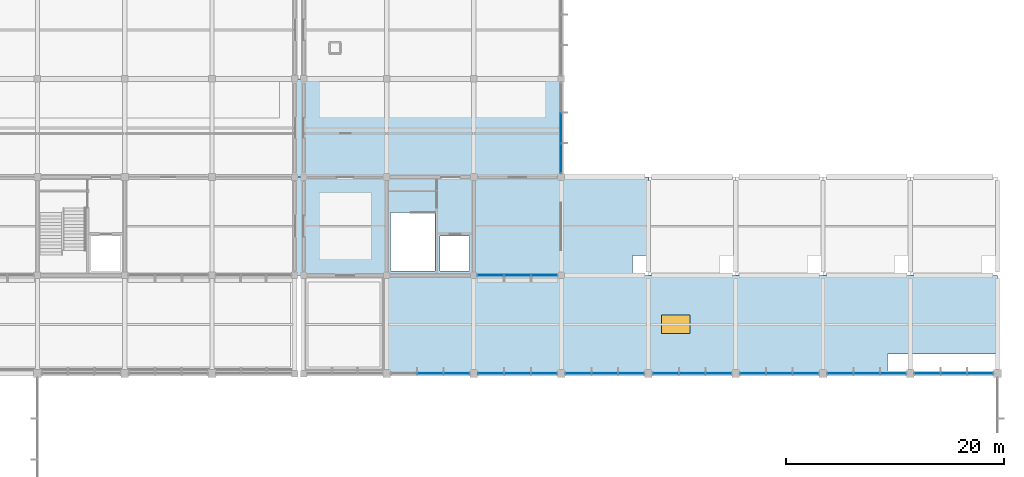
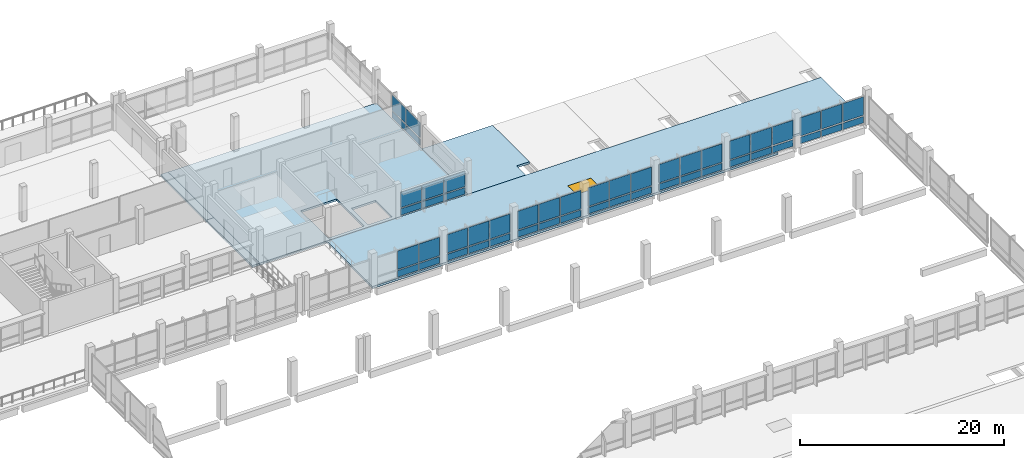
# One storey, part 53 of 70: 50 plates, 5 slabs, 1 window, 1 opening, 9 elements without a shape of their own.
"""IFC4 building model written with IfcOpenShell, lengths in metres."""

from ifc_helpers import new_model, si_unit, direction, frame, origin, origin_2d, place, context, subcontext, project, spatial, polyline, rectangle, outline, extrude, material, layer, layer_set, type_object, element, fill, aggregate, save


model = new_model("IFC4")

# Units and contexts
model_context = context("Model", 3, precision=1e-05, world=origin(), true_north=direction((0.0, 1.0)))
body_context = subcontext(model_context, "Body", "Model", "MODEL_VIEW")
ifc_project = project(units=[si_unit("LENGTHUNIT", "METRE"), si_unit("AREAUNIT", "SQUARE_METRE"), si_unit("VOLUMEUNIT", "CUBIC_METRE"), si_unit("PLANEANGLEUNIT", "RADIAN"), si_unit("MASSUNIT", "GRAM", prefix="KILO"), si_unit("THERMODYNAMICTEMPERATUREUNIT", "KELVIN"), si_unit("POWERUNIT", "WATT")], contexts=[model_context])

# Site, building, storey
site_placement = place(None, origin())
site = spatial("IfcSite", under=ifc_project, at=site_placement, CompositionType="ELEMENT")
building_placement = place(site_placement, origin())
building = spatial("IfcBuilding", under=site, at=building_placement, Name="Kronsvod Quay Wholesale Market", CompositionType="ELEMENT")
storey_placement = place(building_placement, frame((0.0, 0.0, 9.0)))
storey = spatial("IfcBuildingStorey", under=building, at=storey_placement, Name="L02", CompositionType="ELEMENT", Elevation=9.0)

# Curtain wall, plate
ifc_material_1 = material(Name="Thermally broken aluminium and triple low-E glazing", Category="aluminium")
curtain_wall_type_1 = type_object("IfcCurtainWallType", Name="CW_Clerestory80x32", PredefinedType="NOTDEFINED", material=ifc_material_1)
curtain_wall_1_placement = place(storey_placement, origin())
curtain_wall_1 = element("IfcCurtainWall", 1, at=curtain_wall_1_placement, inside=storey, type_object=curtain_wall_type_1, Name="CWGX-L02-1360-900", PredefinedType="NOTDEFINED")
ifc_material_2 = material(Name="Insulated aluminium spandrel panel", Category="aluminium")
ifc_layer_1 = layer(ifc_material_2, 0.048095703125)
ifc_layer_set_1 = layer_set([ifc_layer_1], Name="Insulated aluminium spandrel panel")
plate_type_1 = type_object("IfcPlateType", Name="CWPanel_SP2324x775", PredefinedType="CURTAIN_PANEL", material=ifc_layer_set_1)
plate_1_placement = place(storey_placement, frame((142.41796875, 90.0, 0.150146484375), z_axis=(0.0, 0.0, 1.0), x_axis=(-1.0, 0.0, 0.0)))
plate_1 = element("IfcPlate", 2, at=plate_1_placement, type_object=plate_type_1, Name="CWGX-L02-1360-900-PS1", PredefinedType="CURTAIN_PANEL", context=body_context, shape_type="SweptSolid", body=[
    extrude(rectangle(XDim=2.323974609375, YDim=0.048095703125, at=origin_2d()), origin(), (0.0, 0.0, 1.0), 0.77490234375),
])

# Curtain wall, plates
curtain_wall_2_placement = place(storey_placement, origin())
curtain_wall_2 = element("IfcCurtainWall", 3, at=curtain_wall_2_placement, inside=storey, type_object=curtain_wall_type_1, Name="CWGX-L02-1440-900", PredefinedType="NOTDEFINED")
plate_2_placement = place(storey_placement, frame((150.41796875, 90.0, 0.150146484375), z_axis=(0.0, 0.0, 1.0), x_axis=(-1.0, 0.0, 0.0)))
plate_2 = element("IfcPlate", 4, at=plate_2_placement, type_object=plate_type_1, Name="CWGX-L02-1440-900-PS1", PredefinedType="CURTAIN_PANEL", context=body_context, shape_type="SweptSolid", body=[
    extrude(rectangle(XDim=2.323974609375, YDim=0.048095703125, at=origin_2d()), origin(), (0.0, 0.0, 1.0), 0.77490234375),
])
plate_3_placement = place(storey_placement, frame((145.58203125, 90.0, 0.150146484375), z_axis=(0.0, 0.0, 1.0), x_axis=(-1.0, 0.0, 0.0)))
plate_3 = element("IfcPlate", 5, at=plate_3_placement, type_object=plate_type_1, Name="CWGX-L02-1440-900-PS3", PredefinedType="CURTAIN_PANEL", context=body_context, shape_type="SweptSolid", body=[
    extrude(rectangle(XDim=2.323974609375, YDim=0.048095703125, at=origin_2d()), origin(), (0.0, 0.0, 1.0), 0.77490234375),
])

curtain_wall_3_placement = place(storey_placement, origin())
curtain_wall_3 = element("IfcCurtainWall", 6, at=curtain_wall_3_placement, inside=storey, type_object=curtain_wall_type_1, Name="CWGX-L02-1520-900", PredefinedType="NOTDEFINED")
plate_4_placement = place(storey_placement, frame((158.41796875, 90.0, 0.150146484375), z_axis=(0.0, 0.0, 1.0), x_axis=(-1.0, 0.0, 0.0)))
plate_4 = element("IfcPlate", 7, at=plate_4_placement, type_object=plate_type_1, Name="CWGX-L02-1520-900-PS1", PredefinedType="CURTAIN_PANEL", context=body_context, shape_type="SweptSolid", body=[
    extrude(rectangle(XDim=2.323974609375, YDim=0.048095703125, at=origin_2d()), origin(), (0.0, 0.0, 1.0), 0.77490234375),
])
plate_5_placement = place(storey_placement, frame((153.58203125, 90.0, 0.150146484375), z_axis=(0.0, 0.0, 1.0), x_axis=(-1.0, 0.0, 0.0)))
plate_5 = element("IfcPlate", 8, at=plate_5_placement, type_object=plate_type_1, Name="CWGX-L02-1520-900-PS3", PredefinedType="CURTAIN_PANEL", context=body_context, shape_type="SweptSolid", body=[
    extrude(rectangle(XDim=2.323974609375, YDim=0.048095703125, at=origin_2d()), origin(), (0.0, 0.0, 1.0), 0.77490234375),
])

curtain_wall_4_placement = place(storey_placement, origin())
curtain_wall_4 = element("IfcCurtainWall", 9, at=curtain_wall_4_placement, inside=storey, type_object=curtain_wall_type_1, Name="CWGX-L02-1600-900", PredefinedType="NOTDEFINED")
plate_6_placement = place(storey_placement, frame((166.41796875, 90.0, 0.150146484375), z_axis=(0.0, 0.0, 1.0), x_axis=(-1.0, 0.0, 0.0)))
plate_6 = element("IfcPlate", 10, at=plate_6_placement, type_object=plate_type_1, Name="CWGX-L02-1600-900-PS1", PredefinedType="CURTAIN_PANEL", context=body_context, shape_type="SweptSolid", body=[
    extrude(rectangle(XDim=2.323974609375, YDim=0.048095703125, at=origin_2d()), origin(), (0.0, 0.0, 1.0), 0.77490234375),
])
plate_7_placement = place(storey_placement, frame((161.58203125, 90.0, 0.150146484375), z_axis=(0.0, 0.0, 1.0), x_axis=(-1.0, 0.0, 0.0)))
plate_7 = element("IfcPlate", 11, at=plate_7_placement, type_object=plate_type_1, Name="CWGX-L02-1600-900-PS3", PredefinedType="CURTAIN_PANEL", context=body_context, shape_type="SweptSolid", body=[
    extrude(rectangle(XDim=2.323974609375, YDim=0.048095703125, at=origin_2d()), origin(), (0.0, 0.0, 1.0), 0.77490234375),
])

curtain_wall_5_placement = place(storey_placement, origin())
curtain_wall_5 = element("IfcCurtainWall", 12, at=curtain_wall_5_placement, inside=storey, type_object=curtain_wall_type_1, Name="CWGX-L02-1680-900", PredefinedType="NOTDEFINED")
plate_8_placement = place(storey_placement, frame((174.41796875, 90.0, 0.150146484375), z_axis=(0.0, 0.0, 1.0), x_axis=(-1.0, 0.0, 0.0)))
plate_8 = element("IfcPlate", 13, at=plate_8_placement, type_object=plate_type_1, Name="CWGX-L02-1680-900-PS1", PredefinedType="CURTAIN_PANEL", context=body_context, shape_type="SweptSolid", body=[
    extrude(rectangle(XDim=2.323974609375, YDim=0.048095703125, at=origin_2d()), origin(), (0.0, 0.0, 1.0), 0.77490234375),
])
plate_9_placement = place(storey_placement, frame((169.58203125, 90.0, 0.150146484375), z_axis=(0.0, 0.0, 1.0), x_axis=(-1.0, 0.0, 0.0)))
plate_9 = element("IfcPlate", 14, at=plate_9_placement, type_object=plate_type_1, Name="CWGX-L02-1680-900-PS3", PredefinedType="CURTAIN_PANEL", context=body_context, shape_type="SweptSolid", body=[
    extrude(rectangle(XDim=2.323974609375, YDim=0.048095703125, at=origin_2d()), origin(), (0.0, 0.0, 1.0), 0.77490234375),
])

curtain_wall_6_placement = place(storey_placement, origin())
curtain_wall_6 = element("IfcCurtainWall", 15, at=curtain_wall_6_placement, inside=storey, type_object=curtain_wall_type_1, Name="CWGX-L02-1760-900", PredefinedType="NOTDEFINED")
plate_10_placement = place(storey_placement, frame((182.41796875, 90.0, 0.150146484375), z_axis=(0.0, 0.0, 1.0), x_axis=(-1.0, 0.0, 0.0)))
plate_10 = element("IfcPlate", 16, at=plate_10_placement, type_object=plate_type_1, Name="CWGX-L02-1760-900-PS1", PredefinedType="CURTAIN_PANEL", context=body_context, shape_type="SweptSolid", body=[
    extrude(rectangle(XDim=2.323974609375, YDim=0.048095703125, at=origin_2d()), origin(), (0.0, 0.0, 1.0), 0.77490234375),
])
plate_11_placement = place(storey_placement, frame((177.58203125, 90.0, 0.150146484375), z_axis=(0.0, 0.0, 1.0), x_axis=(-1.0, 0.0, 0.0)))
plate_11 = element("IfcPlate", 17, at=plate_11_placement, type_object=plate_type_1, Name="CWGX-L02-1760-900-PS3", PredefinedType="CURTAIN_PANEL", context=body_context, shape_type="SweptSolid", body=[
    extrude(rectangle(XDim=2.323974609375, YDim=0.048095703125, at=origin_2d()), origin(), (0.0, 0.0, 1.0), 0.77490234375),
])

curtain_wall_7_placement = place(storey_placement, origin())
curtain_wall_7 = element("IfcCurtainWall", 18, at=curtain_wall_7_placement, inside=storey, type_object=curtain_wall_type_1, Name="CWGX-L02-1840-900", PredefinedType="NOTDEFINED")
plate_12_placement = place(storey_placement, frame((190.41796875, 90.0, 0.150146484375), z_axis=(0.0, 0.0, 1.0), x_axis=(-1.0, 0.0, 0.0)))
plate_12 = element("IfcPlate", 19, at=plate_12_placement, type_object=plate_type_1, Name="CWGX-L02-1840-900-PS1", PredefinedType="CURTAIN_PANEL", context=body_context, shape_type="SweptSolid", body=[
    extrude(rectangle(XDim=2.323974609375, YDim=0.048095703125, at=origin_2d()), origin(), (0.0, 0.0, 1.0), 0.77490234375),
])
plate_13_placement = place(storey_placement, frame((185.58203125, 90.0, 0.150146484375), z_axis=(0.0, 0.0, 1.0), x_axis=(-1.0, 0.0, 0.0)))
plate_13 = element("IfcPlate", 20, at=plate_13_placement, type_object=plate_type_1, Name="CWGX-L02-1840-900-PS3", PredefinedType="CURTAIN_PANEL", context=body_context, shape_type="SweptSolid", body=[
    extrude(rectangle(XDim=2.323974609375, YDim=0.048095703125, at=origin_2d()), origin(), (0.0, 0.0, 1.0), 0.77490234375),
])

ifc_material_3 = material(Name="Thermally broken aluminium and triple low-E glazing", Category="aluminium")
curtain_wall_type_2 = type_object("IfcCurtainWallType", Name="CW_Harbour80x33", PredefinedType="NOTDEFINED", material=ifc_material_3)
curtain_wall_8_placement = place(storey_placement, origin())
curtain_wall_8 = element("IfcCurtainWall", 21, at=curtain_wall_8_placement, inside=storey, type_object=curtain_wall_type_2, Name="CWGX-L02-1440-990", PredefinedType="NOTDEFINED")
ifc_material_4 = material(Name="Insulated aluminium spandrel panel", Category="aluminium")
ifc_layer_2 = layer(ifc_material_4, 0.048095703125)
ifc_layer_set_2 = layer_set([ifc_layer_2], Name="Insulated aluminium spandrel panel")
plate_type_2 = type_object("IfcPlateType", Name="CWPanel_SP2358x775", PredefinedType="CURTAIN_PANEL", material=ifc_layer_set_2)
plate_14_placement = place(storey_placement, frame((145.548828125, 99.0, 0.150146484375), z_axis=(0.0, 0.0, 1.0), x_axis=(1.0, 0.0, 0.0)))
plate_14 = element("IfcPlate", 22, at=plate_14_placement, type_object=plate_type_2, Name="CWGX-L02-1440-990-PS1", PredefinedType="CURTAIN_PANEL", context=body_context, shape_type="SweptSolid", body=[
    extrude(rectangle(XDim=2.35791015625, YDim=0.048095703125, at=origin_2d()), origin(), (0.0, 0.0, 1.0), 0.77490234375),
])
plate_15_placement = place(storey_placement, frame((150.451171875, 99.0, 0.150146484375), z_axis=(0.0, 0.0, 1.0), x_axis=(1.0, 0.0, 0.0)))
plate_15 = element("IfcPlate", 23, at=plate_15_placement, type_object=plate_type_2, Name="CWGX-L02-1440-990-PS3", PredefinedType="CURTAIN_PANEL", context=body_context, shape_type="SweptSolid", body=[
    extrude(rectangle(XDim=2.35791015625, YDim=0.048095703125, at=origin_2d()), origin(), (0.0, 0.0, 1.0), 0.77490234375),
])

# Plate
ifc_material_5 = material(Name="Insulated aluminium spandrel panel", Category="aluminium")
ifc_layer_3 = layer(ifc_material_5, 0.048095703125)
ifc_layer_set_3 = layer_set([ifc_layer_3], Name="Insulated aluminium spandrel panel")
plate_type_3 = type_object("IfcPlateType", Name="CWPanel_SP2362x775", PredefinedType="CURTAIN_PANEL", material=ifc_layer_set_3)
plate_16_placement = place(storey_placement, frame((140.0, 90.0, 0.150146484375), z_axis=(0.0, 0.0, 1.0), x_axis=(-1.0, 0.0, 0.0)))
plate_16 = element("IfcPlate", 24, at=plate_16_placement, type_object=plate_type_3, Name="CWGX-L02-1360-900-PS2", PredefinedType="CURTAIN_PANEL", context=body_context, shape_type="SweptSolid", body=[
    extrude(rectangle(XDim=2.362060546875, YDim=0.048095703125, at=origin_2d()), origin(), (0.0, 0.0, 1.0), 0.77490234375),
])

plate_17_placement = place(storey_placement, frame((148.0, 90.0, 0.150146484375), z_axis=(0.0, 0.0, 1.0), x_axis=(-1.0, 0.0, 0.0)))
plate_17 = element("IfcPlate", 25, at=plate_17_placement, type_object=plate_type_3, Name="CWGX-L02-1440-900-PS2", PredefinedType="CURTAIN_PANEL", context=body_context, shape_type="SweptSolid", body=[
    extrude(rectangle(XDim=2.362060546875, YDim=0.048095703125, at=origin_2d()), origin(), (0.0, 0.0, 1.0), 0.77490234375),
])

plate_18_placement = place(storey_placement, frame((156.0, 90.0, 0.150146484375), z_axis=(0.0, 0.0, 1.0), x_axis=(-1.0, 0.0, 0.0)))
plate_18 = element("IfcPlate", 26, at=plate_18_placement, type_object=plate_type_3, Name="CWGX-L02-1520-900-PS2", PredefinedType="CURTAIN_PANEL", context=body_context, shape_type="SweptSolid", body=[
    extrude(rectangle(XDim=2.362060546875, YDim=0.048095703125, at=origin_2d()), origin(), (0.0, 0.0, 1.0), 0.77490234375),
])

plate_19_placement = place(storey_placement, frame((164.0, 90.0, 0.150146484375), z_axis=(0.0, 0.0, 1.0), x_axis=(-1.0, 0.0, 0.0)))
plate_19 = element("IfcPlate", 27, at=plate_19_placement, type_object=plate_type_3, Name="CWGX-L02-1600-900-PS2", PredefinedType="CURTAIN_PANEL", context=body_context, shape_type="SweptSolid", body=[
    extrude(rectangle(XDim=2.362060546875, YDim=0.048095703125, at=origin_2d()), origin(), (0.0, 0.0, 1.0), 0.77490234375),
])

plate_20_placement = place(storey_placement, frame((172.0, 90.0, 0.150146484375), z_axis=(0.0, 0.0, 1.0), x_axis=(-1.0, 0.0, 0.0)))
plate_20 = element("IfcPlate", 28, at=plate_20_placement, type_object=plate_type_3, Name="CWGX-L02-1680-900-PS2", PredefinedType="CURTAIN_PANEL", context=body_context, shape_type="SweptSolid", body=[
    extrude(rectangle(XDim=2.362060546875, YDim=0.048095703125, at=origin_2d()), origin(), (0.0, 0.0, 1.0), 0.77490234375),
])

plate_21_placement = place(storey_placement, frame((180.0, 90.0, 0.150146484375), z_axis=(0.0, 0.0, 1.0), x_axis=(-1.0, 0.0, 0.0)))
plate_21 = element("IfcPlate", 29, at=plate_21_placement, type_object=plate_type_3, Name="CWGX-L02-1760-900-PS2", PredefinedType="CURTAIN_PANEL", context=body_context, shape_type="SweptSolid", body=[
    extrude(rectangle(XDim=2.362060546875, YDim=0.048095703125, at=origin_2d()), origin(), (0.0, 0.0, 1.0), 0.77490234375),
])

plate_22_placement = place(storey_placement, frame((188.0, 90.0, 0.150146484375), z_axis=(0.0, 0.0, 1.0), x_axis=(-1.0, 0.0, 0.0)))
plate_22 = element("IfcPlate", 30, at=plate_22_placement, type_object=plate_type_3, Name="CWGX-L02-1840-900-PS2", PredefinedType="CURTAIN_PANEL", context=body_context, shape_type="SweptSolid", body=[
    extrude(rectangle(XDim=2.362060546875, YDim=0.048095703125, at=origin_2d()), origin(), (0.0, 0.0, 1.0), 0.77490234375),
])

ifc_material_6 = material(Name="Insulated aluminium spandrel panel", Category="aluminium")
ifc_layer_4 = layer(ifc_material_6, 0.048095703125)
ifc_layer_set_4 = layer_set([ifc_layer_4], Name="Insulated aluminium spandrel panel")
plate_type_4 = type_object("IfcPlateType", Name="CWPanel_SP2395x775", PredefinedType="CURTAIN_PANEL", material=ifc_layer_set_4)
plate_23_placement = place(storey_placement, frame((148.0, 99.0, 0.150146484375), z_axis=(0.0, 0.0, 1.0), x_axis=(1.0, 0.0, 0.0)))
plate_23 = element("IfcPlate", 31, at=plate_23_placement, type_object=plate_type_4, Name="CWGX-L02-1440-990-PS2", PredefinedType="CURTAIN_PANEL", context=body_context, shape_type="SweptSolid", body=[
    extrude(rectangle(XDim=2.39501953125, YDim=0.048095703125, at=origin_2d()), origin(), (0.0, 0.0, 1.0), 0.77490234375),
])

# Curtain wall, plates
ifc_material_7 = material(Name="Thermally broken aluminium and triple low-E glazing", Category="aluminium")
curtain_wall_type_3 = type_object("IfcCurtainWallType", Name="CW_Wing90x33", PredefinedType="NOTDEFINED", material=ifc_material_7)
curtain_wall_9_placement = place(storey_placement, origin())
curtain_wall_9 = element("IfcCurtainWall", 32, at=curtain_wall_9_placement, inside=storey, type_object=curtain_wall_type_3, Name="CWGY-L02-1520-1080", PredefinedType="NOTDEFINED")
ifc_material_8 = material(Name="Insulated aluminium spandrel panel", Category="aluminium")
ifc_layer_5 = layer(ifc_material_8, 0.048095703125)
ifc_layer_set_5 = layer_set([ifc_layer_5], Name="Insulated aluminium spandrel panel")
plate_type_5 = type_object("IfcPlateType", Name="CWPanel_SP2683x775", PredefinedType="CURTAIN_PANEL", material=ifc_layer_set_5)
plate_24_placement = place(storey_placement, frame((152.0, 109.736328125, 0.150146484375), z_axis=(0.0, 0.0, 1.0), x_axis=(0.0, 1.0, 0.0)))
plate_24 = element("IfcPlate", 33, at=plate_24_placement, type_object=plate_type_5, Name="CWGY-L02-1520-1080-PS1", PredefinedType="CURTAIN_PANEL", context=body_context, shape_type="SweptSolid", body=[
    extrude(rectangle(XDim=2.68310546875, YDim=0.048095703125, at=origin_2d()), origin(), (0.0, 0.0, 1.0), 0.77490234375),
])
ifc_material_9 = material(Name="Insulated aluminium spandrel panel", Category="aluminium")
ifc_layer_6 = layer(ifc_material_9, 0.048095703125)
ifc_layer_set_6 = layer_set([ifc_layer_6], Name="Insulated aluminium spandrel panel")
plate_type_6 = type_object("IfcPlateType", Name="CWPanel_SP2720x775", PredefinedType="CURTAIN_PANEL", material=ifc_layer_set_6)
plate_25_placement = place(storey_placement, frame((152.0, 112.512451171875, 0.150146484375), z_axis=(0.0, 0.0, 1.0), x_axis=(0.0, 1.0, 0.0)))
plate_25 = element("IfcPlate", 34, at=plate_25_placement, type_object=plate_type_6, Name="CWGY-L02-1520-1080-PS2", PredefinedType="CURTAIN_PANEL", context=body_context, shape_type="SweptSolid", body=[
    extrude(rectangle(XDim=2.719970703125, YDim=0.048095703125, at=origin_2d()), origin(), (0.0, 0.0, 1.0), 0.77490234375),
])

# Plate
ifc_material_10 = material(Name="Triple low-E insulated glazing", Category="glass")
ifc_layer_7 = layer(ifc_material_10, 0.0439453125)
ifc_layer_set_7 = layer_set([ifc_layer_7], Name="Triple low-E insulated glazing")
plate_type_7 = type_object("IfcPlateType", Name="CWPanel_VS2324x2195", PredefinedType="CURTAIN_PANEL", material=ifc_layer_set_7)
plate_26_placement = place(storey_placement, frame((142.41796875, 90.0, 1.0751953125), z_axis=(0.0, 0.0, 1.0), x_axis=(-1.0, 0.0, 0.0)))
plate_26 = element("IfcPlate", 35, at=plate_26_placement, type_object=plate_type_7, Name="CWGX-L02-1360-900-PV1", PredefinedType="CURTAIN_PANEL", context=body_context, shape_type="SweptSolid", body=[
    extrude(rectangle(XDim=2.323974609375, YDim=0.0439453125, at=origin_2d()), origin(), (0.0, 0.0, 1.0), 2.195068359375),
])

plate_27_placement = place(storey_placement, frame((150.41796875, 90.0, 1.0751953125), z_axis=(0.0, 0.0, 1.0), x_axis=(-1.0, 0.0, 0.0)))
plate_27 = element("IfcPlate", 36, at=plate_27_placement, type_object=plate_type_7, Name="CWGX-L02-1440-900-PV1", PredefinedType="CURTAIN_PANEL", context=body_context, shape_type="SweptSolid", body=[
    extrude(rectangle(XDim=2.323974609375, YDim=0.0439453125, at=origin_2d()), origin(), (0.0, 0.0, 1.0), 2.195068359375),
])

plate_28_placement = place(storey_placement, frame((145.58203125, 90.0, 1.0751953125), z_axis=(0.0, 0.0, 1.0), x_axis=(-1.0, 0.0, 0.0)))
plate_28 = element("IfcPlate", 37, at=plate_28_placement, type_object=plate_type_7, Name="CWGX-L02-1440-900-PV3", PredefinedType="CURTAIN_PANEL", context=body_context, shape_type="SweptSolid", body=[
    extrude(rectangle(XDim=2.323974609375, YDim=0.0439453125, at=origin_2d()), origin(), (0.0, 0.0, 1.0), 2.195068359375),
])

plate_29_placement = place(storey_placement, frame((158.41796875, 90.0, 1.0751953125), z_axis=(0.0, 0.0, 1.0), x_axis=(-1.0, 0.0, 0.0)))
plate_29 = element("IfcPlate", 38, at=plate_29_placement, type_object=plate_type_7, Name="CWGX-L02-1520-900-PV1", PredefinedType="CURTAIN_PANEL", context=body_context, shape_type="SweptSolid", body=[
    extrude(rectangle(XDim=2.323974609375, YDim=0.0439453125, at=origin_2d()), origin(), (0.0, 0.0, 1.0), 2.195068359375),
])

plate_30_placement = place(storey_placement, frame((153.58203125, 90.0, 1.0751953125), z_axis=(0.0, 0.0, 1.0), x_axis=(-1.0, 0.0, 0.0)))
plate_30 = element("IfcPlate", 39, at=plate_30_placement, type_object=plate_type_7, Name="CWGX-L02-1520-900-PV3", PredefinedType="CURTAIN_PANEL", context=body_context, shape_type="SweptSolid", body=[
    extrude(rectangle(XDim=2.323974609375, YDim=0.0439453125, at=origin_2d()), origin(), (0.0, 0.0, 1.0), 2.195068359375),
])

plate_31_placement = place(storey_placement, frame((166.41796875, 90.0, 1.0751953125), z_axis=(0.0, 0.0, 1.0), x_axis=(-1.0, 0.0, 0.0)))
plate_31 = element("IfcPlate", 40, at=plate_31_placement, type_object=plate_type_7, Name="CWGX-L02-1600-900-PV1", PredefinedType="CURTAIN_PANEL", context=body_context, shape_type="SweptSolid", body=[
    extrude(rectangle(XDim=2.323974609375, YDim=0.0439453125, at=origin_2d()), origin(), (0.0, 0.0, 1.0), 2.195068359375),
])

plate_32_placement = place(storey_placement, frame((161.58203125, 90.0, 1.0751953125), z_axis=(0.0, 0.0, 1.0), x_axis=(-1.0, 0.0, 0.0)))
plate_32 = element("IfcPlate", 41, at=plate_32_placement, type_object=plate_type_7, Name="CWGX-L02-1600-900-PV3", PredefinedType="CURTAIN_PANEL", context=body_context, shape_type="SweptSolid", body=[
    extrude(rectangle(XDim=2.323974609375, YDim=0.0439453125, at=origin_2d()), origin(), (0.0, 0.0, 1.0), 2.195068359375),
])

plate_33_placement = place(storey_placement, frame((174.41796875, 90.0, 1.0751953125), z_axis=(0.0, 0.0, 1.0), x_axis=(-1.0, 0.0, 0.0)))
plate_33 = element("IfcPlate", 42, at=plate_33_placement, type_object=plate_type_7, Name="CWGX-L02-1680-900-PV1", PredefinedType="CURTAIN_PANEL", context=body_context, shape_type="SweptSolid", body=[
    extrude(rectangle(XDim=2.323974609375, YDim=0.0439453125, at=origin_2d()), origin(), (0.0, 0.0, 1.0), 2.195068359375),
])

plate_34_placement = place(storey_placement, frame((169.58203125, 90.0, 1.0751953125), z_axis=(0.0, 0.0, 1.0), x_axis=(-1.0, 0.0, 0.0)))
plate_34 = element("IfcPlate", 43, at=plate_34_placement, type_object=plate_type_7, Name="CWGX-L02-1680-900-PV3", PredefinedType="CURTAIN_PANEL", context=body_context, shape_type="SweptSolid", body=[
    extrude(rectangle(XDim=2.323974609375, YDim=0.0439453125, at=origin_2d()), origin(), (0.0, 0.0, 1.0), 2.195068359375),
])

plate_35_placement = place(storey_placement, frame((182.41796875, 90.0, 1.0751953125), z_axis=(0.0, 0.0, 1.0), x_axis=(-1.0, 0.0, 0.0)))
plate_35 = element("IfcPlate", 44, at=plate_35_placement, type_object=plate_type_7, Name="CWGX-L02-1760-900-PV1", PredefinedType="CURTAIN_PANEL", context=body_context, shape_type="SweptSolid", body=[
    extrude(rectangle(XDim=2.323974609375, YDim=0.0439453125, at=origin_2d()), origin(), (0.0, 0.0, 1.0), 2.195068359375),
])

plate_36_placement = place(storey_placement, frame((177.58203125, 90.0, 1.0751953125), z_axis=(0.0, 0.0, 1.0), x_axis=(-1.0, 0.0, 0.0)))
plate_36 = element("IfcPlate", 45, at=plate_36_placement, type_object=plate_type_7, Name="CWGX-L02-1760-900-PV3", PredefinedType="CURTAIN_PANEL", context=body_context, shape_type="SweptSolid", body=[
    extrude(rectangle(XDim=2.323974609375, YDim=0.0439453125, at=origin_2d()), origin(), (0.0, 0.0, 1.0), 2.195068359375),
])

plate_37_placement = place(storey_placement, frame((190.41796875, 90.0, 1.0751953125), z_axis=(0.0, 0.0, 1.0), x_axis=(-1.0, 0.0, 0.0)))
plate_37 = element("IfcPlate", 46, at=plate_37_placement, type_object=plate_type_7, Name="CWGX-L02-1840-900-PV1", PredefinedType="CURTAIN_PANEL", context=body_context, shape_type="SweptSolid", body=[
    extrude(rectangle(XDim=2.323974609375, YDim=0.0439453125, at=origin_2d()), origin(), (0.0, 0.0, 1.0), 2.195068359375),
])

plate_38_placement = place(storey_placement, frame((185.58203125, 90.0, 1.0751953125), z_axis=(0.0, 0.0, 1.0), x_axis=(-1.0, 0.0, 0.0)))
plate_38 = element("IfcPlate", 47, at=plate_38_placement, type_object=plate_type_7, Name="CWGX-L02-1840-900-PV3", PredefinedType="CURTAIN_PANEL", context=body_context, shape_type="SweptSolid", body=[
    extrude(rectangle(XDim=2.323974609375, YDim=0.0439453125, at=origin_2d()), origin(), (0.0, 0.0, 1.0), 2.195068359375),
])

ifc_material_11 = material(Name="Triple low-E insulated glazing", Category="glass")
ifc_layer_8 = layer(ifc_material_11, 0.0439453125)
ifc_layer_set_8 = layer_set([ifc_layer_8], Name="Triple low-E insulated glazing")
plate_type_8 = type_object("IfcPlateType", Name="CWPanel_VS2358x1825", PredefinedType="CURTAIN_PANEL", material=ifc_layer_set_8)
plate_39_placement = place(storey_placement, frame((145.548828125, 99.0, 1.0751953125), z_axis=(0.0, 0.0, 1.0), x_axis=(1.0, 0.0, 0.0)))
plate_39 = element("IfcPlate", 48, at=plate_39_placement, type_object=plate_type_8, Name="CWGX-L02-1440-990-PV1", PredefinedType="CURTAIN_PANEL", context=body_context, shape_type="SweptSolid", body=[
    extrude(rectangle(XDim=2.35791015625, YDim=0.0439453125, at=origin_2d()), origin(), (0.0, 0.0, 1.0), 1.824951171875),
])

plate_40_placement = place(storey_placement, frame((150.451171875, 99.0, 1.0751953125), z_axis=(0.0, 0.0, 1.0), x_axis=(1.0, 0.0, 0.0)))
plate_40 = element("IfcPlate", 49, at=plate_40_placement, type_object=plate_type_8, Name="CWGX-L02-1440-990-PV3", PredefinedType="CURTAIN_PANEL", context=body_context, shape_type="SweptSolid", body=[
    extrude(rectangle(XDim=2.35791015625, YDim=0.0439453125, at=origin_2d()), origin(), (0.0, 0.0, 1.0), 1.824951171875),
])

ifc_material_12 = material(Name="Triple low-E insulated glazing", Category="glass")
ifc_layer_9 = layer(ifc_material_12, 0.0439453125)
ifc_layer_set_9 = layer_set([ifc_layer_9], Name="Triple low-E insulated glazing")
plate_type_9 = type_object("IfcPlateType", Name="CWPanel_VS2362x2195", PredefinedType="CURTAIN_PANEL", material=ifc_layer_set_9)
plate_41_placement = place(storey_placement, frame((140.0, 90.0, 1.0751953125), z_axis=(0.0, 0.0, 1.0), x_axis=(-1.0, 0.0, 0.0)))
plate_41 = element("IfcPlate", 50, at=plate_41_placement, type_object=plate_type_9, Name="CWGX-L02-1360-900-PV2", PredefinedType="CURTAIN_PANEL", context=body_context, shape_type="SweptSolid", body=[
    extrude(rectangle(XDim=2.362060546875, YDim=0.0439453125, at=origin_2d()), origin(), (0.0, 0.0, 1.0), 2.195068359375),
])

aggregate(curtain_wall_1, [plate_1, plate_26, plate_16, plate_41])

plate_42_placement = place(storey_placement, frame((148.0, 90.0, 1.0751953125), z_axis=(0.0, 0.0, 1.0), x_axis=(-1.0, 0.0, 0.0)))
plate_42 = element("IfcPlate", 51, at=plate_42_placement, type_object=plate_type_9, Name="CWGX-L02-1440-900-PV2", PredefinedType="CURTAIN_PANEL", context=body_context, shape_type="SweptSolid", body=[
    extrude(rectangle(XDim=2.362060546875, YDim=0.0439453125, at=origin_2d()), origin(), (0.0, 0.0, 1.0), 2.195068359375),
])

aggregate(curtain_wall_2, [plate_2, plate_27, plate_17, plate_42, plate_3, plate_28])

plate_43_placement = place(storey_placement, frame((156.0, 90.0, 1.0751953125), z_axis=(0.0, 0.0, 1.0), x_axis=(-1.0, 0.0, 0.0)))
plate_43 = element("IfcPlate", 52, at=plate_43_placement, type_object=plate_type_9, Name="CWGX-L02-1520-900-PV2", PredefinedType="CURTAIN_PANEL", context=body_context, shape_type="SweptSolid", body=[
    extrude(rectangle(XDim=2.362060546875, YDim=0.0439453125, at=origin_2d()), origin(), (0.0, 0.0, 1.0), 2.195068359375),
])

aggregate(curtain_wall_3, [plate_4, plate_29, plate_18, plate_43, plate_5, plate_30])

plate_44_placement = place(storey_placement, frame((164.0, 90.0, 1.0751953125), z_axis=(0.0, 0.0, 1.0), x_axis=(-1.0, 0.0, 0.0)))
plate_44 = element("IfcPlate", 53, at=plate_44_placement, type_object=plate_type_9, Name="CWGX-L02-1600-900-PV2", PredefinedType="CURTAIN_PANEL", context=body_context, shape_type="SweptSolid", body=[
    extrude(rectangle(XDim=2.362060546875, YDim=0.0439453125, at=origin_2d()), origin(), (0.0, 0.0, 1.0), 2.195068359375),
])

aggregate(curtain_wall_4, [plate_6, plate_31, plate_19, plate_44, plate_7, plate_32])

plate_45_placement = place(storey_placement, frame((172.0, 90.0, 1.0751953125), z_axis=(0.0, 0.0, 1.0), x_axis=(-1.0, 0.0, 0.0)))
plate_45 = element("IfcPlate", 54, at=plate_45_placement, type_object=plate_type_9, Name="CWGX-L02-1680-900-PV2", PredefinedType="CURTAIN_PANEL", context=body_context, shape_type="SweptSolid", body=[
    extrude(rectangle(XDim=2.362060546875, YDim=0.0439453125, at=origin_2d()), origin(), (0.0, 0.0, 1.0), 2.195068359375),
])

aggregate(curtain_wall_5, [plate_8, plate_33, plate_20, plate_45, plate_9, plate_34])

plate_46_placement = place(storey_placement, frame((180.0, 90.0, 1.0751953125), z_axis=(0.0, 0.0, 1.0), x_axis=(-1.0, 0.0, 0.0)))
plate_46 = element("IfcPlate", 55, at=plate_46_placement, type_object=plate_type_9, Name="CWGX-L02-1760-900-PV2", PredefinedType="CURTAIN_PANEL", context=body_context, shape_type="SweptSolid", body=[
    extrude(rectangle(XDim=2.362060546875, YDim=0.0439453125, at=origin_2d()), origin(), (0.0, 0.0, 1.0), 2.195068359375),
])

aggregate(curtain_wall_6, [plate_10, plate_35, plate_21, plate_46, plate_11, plate_36])

plate_47_placement = place(storey_placement, frame((188.0, 90.0, 1.0751953125), z_axis=(0.0, 0.0, 1.0), x_axis=(-1.0, 0.0, 0.0)))
plate_47 = element("IfcPlate", 56, at=plate_47_placement, type_object=plate_type_9, Name="CWGX-L02-1840-900-PV2", PredefinedType="CURTAIN_PANEL", context=body_context, shape_type="SweptSolid", body=[
    extrude(rectangle(XDim=2.362060546875, YDim=0.0439453125, at=origin_2d()), origin(), (0.0, 0.0, 1.0), 2.195068359375),
])

aggregate(curtain_wall_7, [plate_12, plate_37, plate_22, plate_47, plate_13, plate_38])

ifc_material_13 = material(Name="Triple low-E insulated glazing", Category="glass")
ifc_layer_10 = layer(ifc_material_13, 0.0439453125)
ifc_layer_set_10 = layer_set([ifc_layer_10], Name="Triple low-E insulated glazing")
plate_type_10 = type_object("IfcPlateType", Name="CWPanel_VS2395x1825", PredefinedType="CURTAIN_PANEL", material=ifc_layer_set_10)
plate_48_placement = place(storey_placement, frame((148.0, 99.0, 1.0751953125), z_axis=(0.0, 0.0, 1.0), x_axis=(1.0, 0.0, 0.0)))
plate_48 = element("IfcPlate", 57, at=plate_48_placement, type_object=plate_type_10, Name="CWGX-L02-1440-990-PV2", PredefinedType="CURTAIN_PANEL", context=body_context, shape_type="SweptSolid", body=[
    extrude(rectangle(XDim=2.39501953125, YDim=0.0439453125, at=origin_2d()), origin(), (0.0, 0.0, 1.0), 1.824951171875),
])

aggregate(curtain_wall_8, [plate_14, plate_39, plate_23, plate_48, plate_15, plate_40])

ifc_material_14 = material(Name="Triple low-E insulated glazing", Category="glass")
ifc_layer_11 = layer(ifc_material_14, 0.0439453125)
ifc_layer_set_11 = layer_set([ifc_layer_11], Name="Triple low-E insulated glazing")
plate_type_11 = type_object("IfcPlateType", Name="CWPanel_VS2683x1825", PredefinedType="CURTAIN_PANEL", material=ifc_layer_set_11)
plate_49_placement = place(storey_placement, frame((152.0, 109.736328125, 1.0751953125), z_axis=(0.0, 0.0, 1.0), x_axis=(0.0, 1.0, 0.0)))
plate_49 = element("IfcPlate", 58, at=plate_49_placement, type_object=plate_type_11, Name="CWGY-L02-1520-1080-PV1", PredefinedType="CURTAIN_PANEL", context=body_context, shape_type="SweptSolid", body=[
    extrude(rectangle(XDim=2.68310546875, YDim=0.0439453125, at=origin_2d()), origin(), (0.0, 0.0, 1.0), 1.824951171875),
])

ifc_material_15 = material(Name="Triple low-E insulated glazing", Category="glass")
ifc_layer_12 = layer(ifc_material_15, 0.0439453125)
ifc_layer_set_12 = layer_set([ifc_layer_12], Name="Triple low-E insulated glazing")
plate_type_12 = type_object("IfcPlateType", Name="CWPanel_VS2720x1825", PredefinedType="CURTAIN_PANEL", material=ifc_layer_set_12)
plate_50_placement = place(storey_placement, frame((152.0, 112.512451171875, 1.0751953125), z_axis=(0.0, 0.0, 1.0), x_axis=(0.0, 1.0, 0.0)))
plate_50 = element("IfcPlate", 59, at=plate_50_placement, type_object=plate_type_12, Name="CWGY-L02-1520-1080-PV2", PredefinedType="CURTAIN_PANEL", context=body_context, shape_type="SweptSolid", body=[
    extrude(rectangle(XDim=2.719970703125, YDim=0.0439453125, at=origin_2d()), origin(), (0.0, 0.0, 1.0), 1.824951171875),
])

aggregate(curtain_wall_9, [plate_24, plate_49, plate_25, plate_50])

# Slab, opening, window
ifc_material_16 = material(Name="Precast concrete C40/50", Category="concrete")
ifc_layer_13 = layer(ifc_material_16, 0.260009765625)
ifc_layer_set_13 = layer_set([ifc_layer_13], Name="Precast concrete C40/50")
slab_type_1 = type_object("IfcSlabType", Name="Slab_FlatRoof260", PredefinedType="ROOF", material=ifc_layer_set_13)
slab_1_placement = place(storey_placement, frame((0.0, 0.0, -0.260009765625)))
slab_1 = element("IfcSlab", 60, at=slab_1_placement, inside=storey, type_object=slab_type_1, Name="SLB-L02-126", PredefinedType="ROOF", context=body_context, shape_type="SweptSolid", body=[
    extrude(outline(polyline([(136.0, 90.0), (181.919921875, 90.0), (181.919921875, 91.800048828125), (192.0, 91.800048828125), (192.0, 99.0), (136.0, 99.0), (136.0, 90.0)])), origin(), (0.0, 0.0, 1.0), 0.260009765625),
])
opening_placement = place(slab_1_placement, frame((162.5, 94.5, 0.0)))
opening = element("IfcOpeningElement", 61, at=opening_placement, cuts=slab_1, Name="Opening SKY-06", PredefinedType="OPENING", context=body_context, shape_type="SweptSolid", body=[
    extrude(rectangle(XDim=2.60009765625, YDim=1.699951171875, at=origin_2d()), frame((0.0, 0.0, -0.010009765625)), (0.0, 0.0, 1.0), 0.280029296875),
])
ifc_material_17 = material(Name="Thermally broken aluminium and triple low-E glazing", Category="aluminium")
window_type = type_object("IfcWindowType", Name="Skylight_Daylight260x170", PartitioningType="DOUBLE_PANEL_HORIZONTAL", PredefinedType="SKYLIGHT", material=ifc_material_17)
window_placement = place(opening_placement, frame((0.0, 0.0, 0.2099609375)))
window = element("IfcWindow", 62, at=window_placement, inside=storey, type_object=window_type, Name="SKY-06", OverallHeight=1.699951171875, OverallWidth=2.60009765625, PartitioningType="SINGLE_PANEL", PredefinedType="SKYLIGHT", context=body_context, shape_type="SweptSolid", body=[
    extrude(rectangle(XDim=2.60009765625, YDim=1.699951171875, at=origin_2d()), origin(), (0.0, 0.0, 1.0), 0.050048828125),
])
fill(opening, window)

# Slabs
slab_2_placement = place(storey_placement, frame((0.0, 0.0, -0.260009765625)))
element("IfcSlab", 63, at=slab_2_placement, inside=storey, type_object=slab_type_1, Name="SLB-L02-128", PredefinedType="ROOF", context=body_context, shape_type="SweptSolid", body=[
    extrude(outline(polyline([(152.0, 99.0), (158.56005859375, 99.0), (158.56005859375, 100.800048828125), (160.0, 100.800048828125), (160.0, 108.0), (152.0, 108.0), (152.0, 99.0)])), origin(), (0.0, 0.0, 1.0), 0.260009765625),
])
ifc_material_18 = material(Name="Concrete C35/45", Category="concrete")
ifc_layer_14 = layer(ifc_material_18, 0.25)
ifc_layer_set_14 = layer_set([ifc_layer_14], Name="Concrete C35/45")
slab_type_2 = type_object("IfcSlabType", Name="Slab_Floor250", PredefinedType="FLOOR", material=ifc_layer_set_14)
slab_3_placement = place(storey_placement, frame((0.0, 0.0, -0.25)))
element("IfcSlab", 64, at=slab_3_placement, inside=storey, type_object=slab_type_2, Name="SLB-L02-127", PredefinedType="FLOOR", context=body_context, shape_type="SweptSolid", body=[
    extrude(outline(polyline([(128.419921875, 99.0), (152.0, 99.0), (152.0, 117.0), (128.419921875, 117.0), (128.419921875, 99.0)]), holes=[polyline([(136.3798828125, 99.3798828125), (140.4599609375, 99.3798828125), (140.4599609375, 104.75), (136.3798828125, 104.75), (136.3798828125, 99.3798828125)]), polyline([(140.89990234375, 99.3798828125), (143.6201171875, 99.3798828125), (143.6201171875, 102.6201171875), (140.89990234375, 102.6201171875), (140.89990234375, 99.3798828125)])]), origin(), (0.0, 0.0, 1.0), 0.25),
])
ifc_material_19 = material(Name="Concrete C35/45", Category="concrete")
ifc_layer_15 = layer(ifc_material_19, 0.2451171875)
ifc_layer_set_15 = layer_set([ifc_layer_15], Name="Concrete C35/45")
slab_type_3 = type_object("IfcSlabType", Name="Slab_JointBridge245", PredefinedType="FLOOR", material=ifc_layer_set_15)
slab_4_placement = place(storey_placement, frame((0.0, 0.0, -0.2451171875)))
element("IfcSlab", 65, at=slab_4_placement, inside=storey, type_object=slab_type_3, Name="SLB-MJ-L02-J2-99", PredefinedType="FLOOR", context=body_context, shape_type="SweptSolid", body=[
    extrude(outline(polyline([(127.580078125, 99.0), (128.419921875, 99.0), (128.419921875, 108.0), (127.580078125, 108.0), (127.580078125, 99.0)])), origin(), (0.0, 0.0, 1.0), 0.2451171875),
])
slab_5_placement = place(storey_placement, frame((0.0, 0.0, -0.2451171875)))
element("IfcSlab", 66, at=slab_5_placement, inside=storey, type_object=slab_type_3, Name="SLB-MJ-L02-J2-108", PredefinedType="FLOOR", context=body_context, shape_type="SweptSolid", body=[
    extrude(outline(polyline([(127.580078125, 108.0), (128.419921875, 108.0), (128.419921875, 117.0), (127.580078125, 117.0), (127.580078125, 108.0)])), origin(), (0.0, 0.0, 1.0), 0.2451171875),
])

save(model, "model.ifc")
